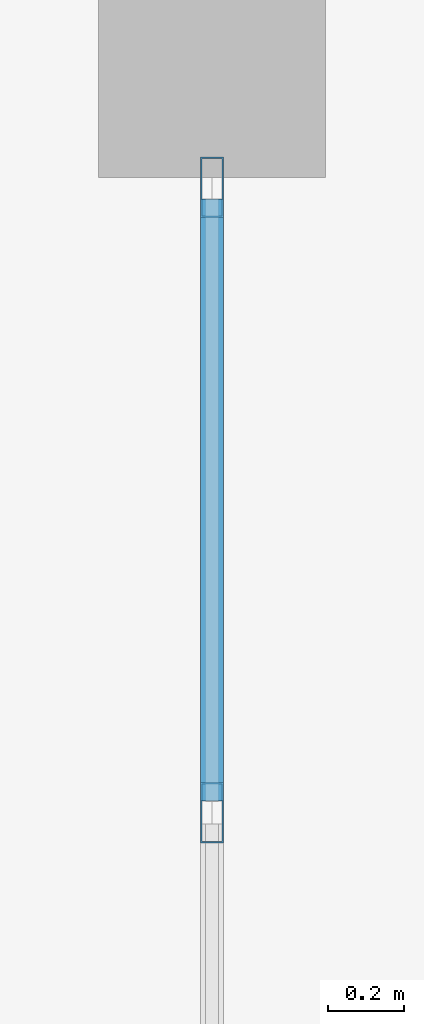
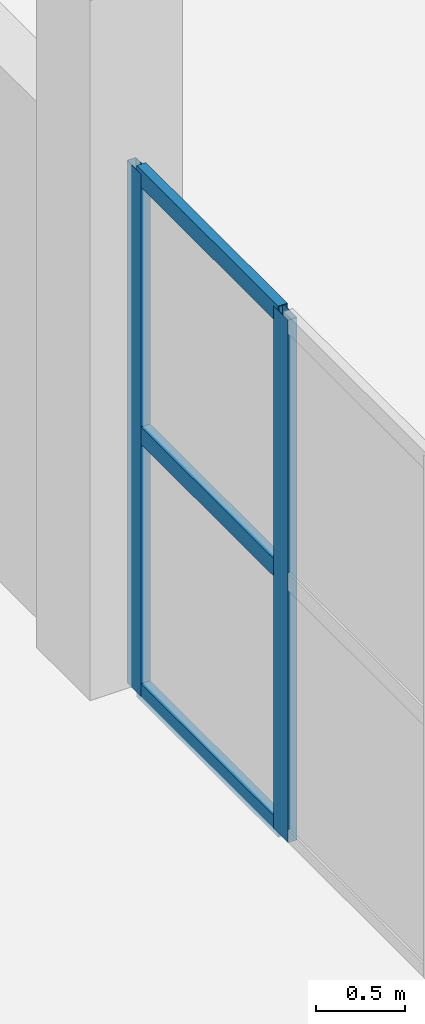
# One storey, part 26 of 89: 5 members, 1 element without a shape of its own.
"""IFC4 building model written with IfcOpenShell, lengths in metres."""

from ifc_helpers import new_model, si_unit, direction, frame, origin, origin_2d, place, context, subcontext, project, spatial, hollow_rectangle, extrude, material, layer, layer_set, material_profile, profile_set, type_object, element, aggregate, save


model = new_model("IFC4")

# Units and contexts
model_context = context("Model", 3, precision=1e-05, world=origin(), true_north=direction((0.0, 1.0)))
body_context = subcontext(model_context, "Body", "Model", "MODEL_VIEW")
ifc_project = project(units=[si_unit("LENGTHUNIT", "METRE"), si_unit("AREAUNIT", "SQUARE_METRE"), si_unit("VOLUMEUNIT", "CUBIC_METRE"), si_unit("PLANEANGLEUNIT", "RADIAN"), si_unit("MASSUNIT", "GRAM", prefix="KILO")], contexts=[model_context])

# Site, building, storey
site_placement = place(None, origin())
site = spatial("IfcSite", under=ifc_project, at=site_placement, CompositionType="ELEMENT")
building_placement = place(site_placement, origin())
building = spatial("IfcBuilding", under=site, at=building_placement, Name="Dornveld Trade and Exhibition Forum", CompositionType="ELEMENT")
storey_placement = place(building_placement, frame((0.0, 0.0, 12.0)))
storey = spatial("IfcBuildingStorey", under=building, at=storey_placement, Name="L02", CompositionType="ELEMENT", Elevation=12.0)

# Curtain wall, members
ifc_material_1 = material(Name="Dark-bronze anodised aluminium and low-E glass", Category="aluminium")
ifc_layer = layer(ifc_material_1, 0.156982421875)
ifc_layer_set = layer_set([ifc_layer], Name="Dark-bronze anodised aluminium and low-E glass")
curtain_wall_type = type_object("IfcCurtainWallType", Name="CW-SYS-05", PredefinedType="USERDEFINED", material=ifc_layer_set)
curtain_wall_placement = place(storey_placement, origin())
curtain_wall = element("IfcCurtainWall", 1, at=curtain_wall_placement, inside=storey, type_object=curtain_wall_type, Name="L02 unitised curtain wall 77", ObjectType="UNITISED_CURTAIN_WALL", PredefinedType="USERDEFINED")
ifc_material_2 = material(Name="Dark-bronze anodised aluminium", Category="aluminium")
ifc_material_profile_1 = material_profile(ifc_material_2, hollow_rectangle(XDim=0.06005859375, YDim=0.159912109375, WallThickness=0.00390625, at=origin_2d()), Name="RHS 160x60x4")
ifc_profile_set_1 = profile_set([ifc_material_profile_1], Name="Dark-bronze anodised aluminium")
member_type_1 = type_object("IfcMemberType", Name="CW-MUL-160", PredefinedType="MULLION", material=ifc_profile_set_1)
member_1_placement = place(storey_placement, frame((225.0, 16.0224609375, -0.00390625), z_axis=(0.0, 0.0, 1.0), x_axis=(-1.0, 0.0, 0.0)))
member_1 = element("IfcMember", 2, at=member_1_placement, type_object=member_type_1, Name="CW-05 mullion 5", PredefinedType="MULLION", context=body_context, shape_type="SweptSolid", body=[
    extrude(hollow_rectangle(XDim=0.06005859375, YDim=0.159912109375, WallThickness=0.00390625, at=origin_2d()), origin(), (0.0, 0.0, 1.0), 3.583984375),
])
member_2_placement = place(storey_placement, frame((225.0, 17.674072265625, -0.00390625), z_axis=(0.0, 0.0, 1.0), x_axis=(-1.0, 0.0, 0.0)))
member_2 = element("IfcMember", 3, at=member_2_placement, type_object=member_type_1, Name="CW-05 mullion 6", PredefinedType="MULLION", context=body_context, shape_type="SweptSolid", body=[
    extrude(hollow_rectangle(XDim=0.06005859375, YDim=0.159912109375, WallThickness=0.00390625, at=origin_2d()), origin(), (0.0, 0.0, 1.0), 3.583984375),
])
ifc_material_3 = material(Name="Dark-bronze anodised aluminium", Category="aluminium")
ifc_material_profile_2 = material_profile(ifc_material_3, hollow_rectangle(XDim=0.06005859375, YDim=0.1201171875, WallThickness=0.00390625, at=origin_2d()), Name="RHS 120x60x4")
ifc_profile_set_2 = profile_set([ifc_material_profile_2], Name="Dark-bronze anodised aluminium")
member_type_2 = type_object("IfcMemberType", Name="CW-TRN-120", PredefinedType="USERDEFINED", material=ifc_profile_set_2)
member_3_placement = place(storey_placement, frame((225.0, 16.052490234375, 0.02587890625), z_axis=(0.0, 1.0, 0.0), x_axis=(-1.0, 0.0, 0.0)))
member_3 = element("IfcMember", 4, at=member_3_placement, type_object=member_type_2, Name="CW-05 transom 5.1", ObjectType="TRANSOM", PredefinedType="USERDEFINED", context=body_context, shape_type="SweptSolid", body=[
    extrude(hollow_rectangle(XDim=0.06005859375, YDim=0.1201171875, WallThickness=0.00390625, at=origin_2d()), origin(), (0.0, 0.0, 1.0), 1.591552734375),
])
member_4_placement = place(storey_placement, frame((225.0, 16.052490234375, 1.7880859375), z_axis=(0.0, 1.0, 0.0), x_axis=(-1.0, 0.0, 0.0)))
member_4 = element("IfcMember", 5, at=member_4_placement, type_object=member_type_2, Name="CW-05 transom 5.2", ObjectType="TRANSOM", PredefinedType="USERDEFINED", context=body_context, shape_type="SweptSolid", body=[
    extrude(hollow_rectangle(XDim=0.06005859375, YDim=0.1201171875, WallThickness=0.00390625, at=origin_2d()), origin(), (0.0, 0.0, 1.0), 1.591552734375),
])
member_5_placement = place(storey_placement, frame((225.0, 16.052490234375, 3.550048828125), z_axis=(0.0, 1.0, 0.0), x_axis=(-1.0, 0.0, 0.0)))
member_5 = element("IfcMember", 6, at=member_5_placement, type_object=member_type_2, Name="CW-05 transom 5.3", ObjectType="TRANSOM", PredefinedType="USERDEFINED", context=body_context, shape_type="SweptSolid", body=[
    extrude(hollow_rectangle(XDim=0.06005859375, YDim=0.1201171875, WallThickness=0.00390625, at=origin_2d()), origin(), (0.0, 0.0, 1.0), 1.591552734375),
])
aggregate(curtain_wall, [member_1, member_2, member_3, member_4, member_5])

save(model, "model.ifc")
